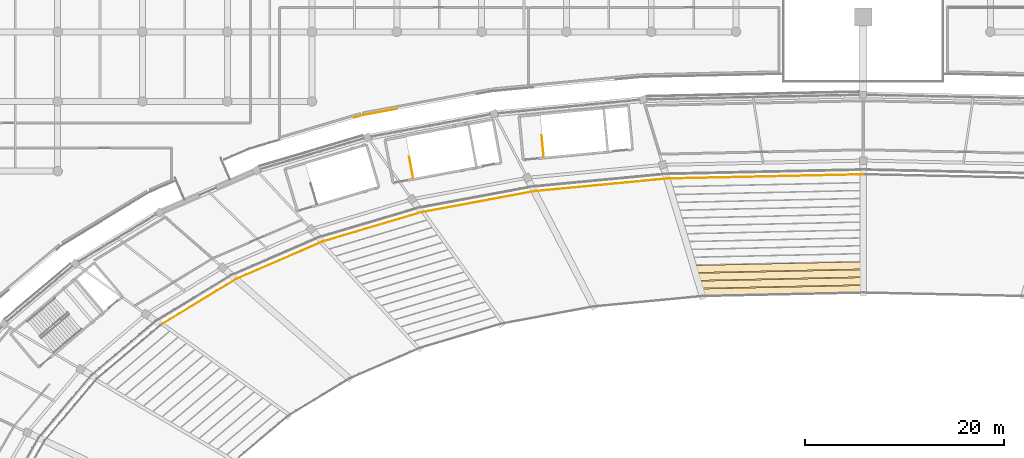
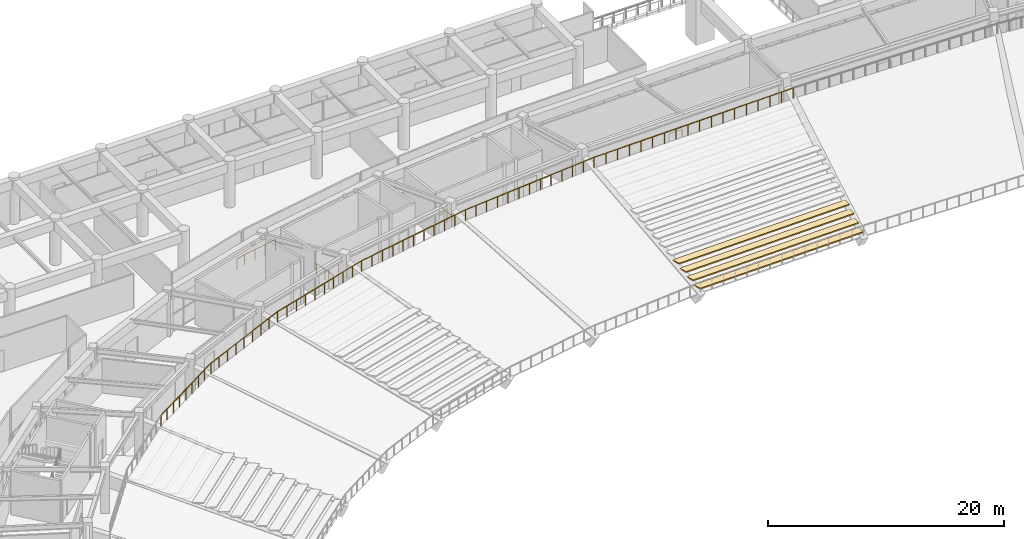
# One storey, part 133 of 137: 4 coverings, 4 railings.
"""IFC4 building model written with IfcOpenShell, lengths in metres."""

from ifc_helpers import new_model, si_unit, direction, frame, origin, origin_2d, place, context, subcontext, project, spatial, polyline, circle, outline, extrude, material, layer, layer_set, type_object, element, save


model = new_model("IFC4")

# Units and contexts
model_context = context("Model", 3, precision=1e-05, world=origin(), true_north=direction((0.0, 1.0)))
body_context = subcontext(model_context, "Body", "Model", "MODEL_VIEW")
ifc_project = project(units=[si_unit("LENGTHUNIT", "METRE"), si_unit("AREAUNIT", "SQUARE_METRE"), si_unit("VOLUMEUNIT", "CUBIC_METRE"), si_unit("PLANEANGLEUNIT", "RADIAN"), si_unit("MASSUNIT", "GRAM", prefix="KILO")], contexts=[model_context])

# Site, building, storey
site_placement = place(None, origin())
site = spatial("IfcSite", under=ifc_project, at=site_placement, CompositionType="ELEMENT")
building_placement = place(site_placement, origin())
building = spatial("IfcBuilding", under=site, at=building_placement, Name="Mphavela Belvedere Stadium", CompositionType="ELEMENT")
storey_placement = place(building_placement, frame((0.0, 0.0, 19.199951171875)))
storey = spatial("IfcBuildingStorey", under=building, at=storey_placement, Name="L04", CompositionType="ELEMENT", Elevation=19.199951171875)

# Coverings
ifc_material_1 = material(Name="Precast seating row terrazzo finish", Category="concrete")
ifc_layer = layer(ifc_material_1, 0.1201171875)
ifc_layer_set = layer_set([ifc_layer], Name="Precast seating row terrazzo finish")
covering_type = type_object("IfcCoveringType", Name="COV-SEAT-ROW-U", PredefinedType="FLOORING", material=ifc_layer_set)
covering_1_placement = place(storey_placement, frame((0.0, 0.0, -3.4033203125)))
element("IfcCovering", 1, at=covering_1_placement, inside=storey, type_object=covering_type, Name="Upper stand seating row bench B13-R01", PredefinedType="FLOORING", context=body_context, shape_type="SweptSolid", body=[
    extrude(outline(polyline([(115.0, 140.79296875), (98.85205078125, 140.4453125), (98.63330078125, 141.16943359375), (115.0, 141.52197265625), (115.0, 140.79296875)])), origin(), (0.0, 0.0, 1.0), 0.1201171875),
])
covering_2_placement = place(storey_placement, frame((0.0, 0.0, -2.936767578125)))
element("IfcCovering", 2, at=covering_2_placement, inside=storey, type_object=covering_type, Name="Upper stand seating row bench B13-R02", PredefinedType="FLOORING", context=body_context, shape_type="SweptSolid", body=[
    extrude(outline(polyline([(115.0, 141.585205078125), (98.6142578125, 141.232421875), (98.3955078125, 141.956787109375), (115.0, 142.314208984375), (115.0, 141.585205078125)])), origin(), (0.0, 0.0, 1.0), 0.1201171875),
])
covering_3_placement = place(storey_placement, frame((0.0, 0.0, -2.469970703125)))
element("IfcCovering", 3, at=covering_3_placement, inside=storey, type_object=covering_type, Name="Upper stand seating row bench B13-R03", PredefinedType="FLOORING", context=body_context, shape_type="SweptSolid", body=[
    extrude(outline(polyline([(115.0, 142.377685546875), (98.37646484375, 142.019775390625), (98.15771484375, 142.743896484375), (115.0, 143.1064453125), (115.0, 142.377685546875)])), origin(), (0.0, 0.0, 1.0), 0.1201171875),
])
covering_4_placement = place(storey_placement, frame((0.0, 0.0, -2.003173828125)))
element("IfcCovering", 4, at=covering_4_placement, inside=storey, type_object=covering_type, Name="Upper stand seating row bench B13-R04", PredefinedType="FLOORING", context=body_context, shape_type="SweptSolid", body=[
    extrude(outline(polyline([(115.0, 143.169921875), (98.138671875, 142.806884765625), (97.919921875, 143.531005859375), (115.0, 143.898681640625), (115.0, 143.169921875)])), origin(), (0.0, 0.0, 1.0), 0.119873046875),
])

# Railings
ifc_material_2 = material(Name="Bronze and laminated glass stadium balustrade", Category="glass")
railing_type_1 = type_object("IfcRailingType", Name="RAL-BALUSTRADE-1120", PredefinedType="BALUSTRADE", material=ifc_material_2)
railing_1_placement = place(storey_placement, frame((115.0, 152.677490234375, 3.25)))
element("IfcRailing", 5, at=railing_1_placement, inside=storey, type_object=railing_type_1, Name="Bowl safety balustrade t2_rear S3", PredefinedType="BALUSTRADE", context=body_context, shape_type="SweptSolid", body=[
    extrude(circle(Radius=0.02392578125, at=origin_2d()), frame((0.0, 0.0, 1.09619140625), z_axis=(-0.999768212471, -0.021529545552, 0.0), x_axis=(0.021529545552, -0.999768212471, 0.0)), (0.0, 0.0, 1.0), 19.719970703125),
    extrude(circle(Radius=0.02392578125, at=origin_2d()), frame((-19.71533203125, -0.424560546875, 1.09619140625), z_axis=(-0.995485310034, -0.094915738982, 0.0), x_axis=(0.094915738982, -0.995485310034, 0.0)), (0.0, 0.0, 1.0), 13.39599609375),
    extrude(circle(Radius=0.02392578125, at=origin_2d()), frame((-33.05078125, -1.696044921875, 1.09619140625), z_axis=(-0.983092967472, -0.183107119762, 0.0), x_axis=(0.183107119762, -0.983092967472, 0.0)), (0.0, 0.0, 1.0), 11.54248046875),
    extrude(circle(Radius=0.02392578125, at=origin_2d()), frame((-44.398193359375, -3.8095703125, 1.09619140625), z_axis=(-0.958657919972, -0.284561052279, 0.0), x_axis=(0.284561052279, -0.958657919972, 0.0)), (0.0, 0.0, 1.0), 10.3564453125),
    extrude(circle(Radius=0.02392578125, at=origin_2d()), frame((-54.326416015625, -6.756591796875, 1.09619140625), z_axis=(-0.917507086271, -0.397719432065, 0.0), x_axis=(0.397719432065, -0.917507086271, 0.0)), (0.0, 0.0, 1.0), 9.482177734375),
    extrude(circle(Radius=0.02392578125, at=origin_2d()), frame((-63.0263671875, -10.52783203125, 1.09619140625), z_axis=(-0.85431656111, -0.519753031173, 0.0), x_axis=(0.519753031173, -0.85431656111, 0.0)), (0.0, 0.0, 1.0), 8.82763671875),
    extrude(circle(Radius=0.02099609375, at=origin_2d()), origin(), (0.0, 0.0, 1.0), 1.072021484375),
    extrude(circle(Radius=0.02099609375, at=origin_2d()), frame((-1.15966796875, -0.02490234375, 0.0)), (0.0, 0.0, 1.0), 1.072021484375),
    extrude(circle(Radius=0.02099609375, at=origin_2d()), frame((-2.3193359375, -0.050048828125, 0.0)), (0.0, 0.0, 1.0), 1.072021484375),
    extrude(circle(Radius=0.02099609375, at=origin_2d()), frame((-3.479248046875, -0.074951171875, 0.0)), (0.0, 0.0, 1.0), 1.072021484375),
    extrude(circle(Radius=0.02099609375, at=origin_2d()), frame((-4.638916015625, -0.099853515625, 0.0)), (0.0, 0.0, 1.0), 1.072021484375),
    extrude(circle(Radius=0.02099609375, at=origin_2d()), frame((-5.798583984375, -0.124755859375, 0.0)), (0.0, 0.0, 1.0), 1.072021484375),
    extrude(circle(Radius=0.02099609375, at=origin_2d()), frame((-6.958251953125, -0.14990234375, 0.0)), (0.0, 0.0, 1.0), 1.072021484375),
    extrude(circle(Radius=0.02099609375, at=origin_2d()), frame((-8.1181640625, -0.1748046875, 0.0)), (0.0, 0.0, 1.0), 1.072021484375),
    extrude(circle(Radius=0.02099609375, at=origin_2d()), frame((-9.27783203125, -0.19970703125, 0.0)), (0.0, 0.0, 1.0), 1.072021484375),
    extrude(circle(Radius=0.02099609375, at=origin_2d()), frame((-10.4375, -0.224853515625, 0.0)), (0.0, 0.0, 1.0), 1.072021484375),
    extrude(circle(Radius=0.02099609375, at=origin_2d()), frame((-11.59716796875, -0.249755859375, 0.0)), (0.0, 0.0, 1.0), 1.072021484375),
    extrude(circle(Radius=0.02099609375, at=origin_2d()), frame((-12.757080078125, -0.274658203125, 0.0)), (0.0, 0.0, 1.0), 1.072021484375),
    extrude(circle(Radius=0.02099609375, at=origin_2d()), frame((-13.916748046875, -0.2998046875, 0.0)), (0.0, 0.0, 1.0), 1.072021484375),
    extrude(circle(Radius=0.02099609375, at=origin_2d()), frame((-15.076416015625, -0.32470703125, 0.0)), (0.0, 0.0, 1.0), 1.072021484375),
    extrude(circle(Radius=0.02099609375, at=origin_2d()), frame((-16.236083984375, -0.349609375, 0.0)), (0.0, 0.0, 1.0), 1.072021484375),
    extrude(circle(Radius=0.02099609375, at=origin_2d()), frame((-17.39599609375, -0.37451171875, 0.0)), (0.0, 0.0, 1.0), 1.072021484375),
    extrude(circle(Radius=0.02099609375, at=origin_2d()), frame((-18.5556640625, -0.399658203125, 0.0)), (0.0, 0.0, 1.0), 1.072021484375),
    extrude(circle(Radius=0.02099609375, at=origin_2d()), frame((-19.71533203125, -0.424560546875, 0.0)), (0.0, 0.0, 1.0), 1.072021484375),
    extrude(circle(Radius=0.02099609375, at=origin_2d()), frame((-20.82666015625, -0.530517578125, 0.0)), (0.0, 0.0, 1.0), 1.072021484375),
    extrude(circle(Radius=0.02099609375, at=origin_2d()), frame((-21.93798828125, -0.636474609375, 0.0)), (0.0, 0.0, 1.0), 1.072021484375),
    extrude(circle(Radius=0.02099609375, at=origin_2d()), frame((-23.04931640625, -0.742431640625, 0.0)), (0.0, 0.0, 1.0), 1.072021484375),
    extrude(circle(Radius=0.02099609375, at=origin_2d()), frame((-24.160400390625, -0.848388671875, 0.0)), (0.0, 0.0, 1.0), 1.072021484375),
    extrude(circle(Radius=0.02099609375, at=origin_2d()), frame((-25.271728515625, -0.954345703125, 0.0)), (0.0, 0.0, 1.0), 1.072021484375),
    extrude(circle(Radius=0.02099609375, at=origin_2d()), frame((-26.383056640625, -1.060302734375, 0.0)), (0.0, 0.0, 1.0), 1.072021484375),
    extrude(circle(Radius=0.02099609375, at=origin_2d()), frame((-27.494384765625, -1.166259765625, 0.0)), (0.0, 0.0, 1.0), 1.072021484375),
    extrude(circle(Radius=0.02099609375, at=origin_2d()), frame((-28.605712890625, -1.272216796875, 0.0)), (0.0, 0.0, 1.0), 1.072021484375),
    extrude(circle(Radius=0.02099609375, at=origin_2d()), frame((-29.716796875, -1.378173828125, 0.0)), (0.0, 0.0, 1.0), 1.072021484375),
    extrude(circle(Radius=0.02099609375, at=origin_2d()), frame((-30.828125, -1.484130859375, 0.0)), (0.0, 0.0, 1.0), 1.072021484375),
    extrude(circle(Radius=0.02099609375, at=origin_2d()), frame((-31.939453125, -1.590087890625, 0.0)), (0.0, 0.0, 1.0), 1.072021484375),
    extrude(circle(Radius=0.02099609375, at=origin_2d()), frame((-33.05078125, -1.696044921875, 0.0)), (0.0, 0.0, 1.0), 1.072021484375),
    extrude(circle(Radius=0.02099609375, at=origin_2d()), frame((-34.185546875, -1.907470703125, 0.0)), (0.0, 0.0, 1.0), 1.072021484375),
    extrude(circle(Radius=0.02099609375, at=origin_2d()), frame((-35.3203125, -2.11865234375, 0.0)), (0.0, 0.0, 1.0), 1.072021484375),
    extrude(circle(Radius=0.02099609375, at=origin_2d()), frame((-36.455078125, -2.330078125, 0.0)), (0.0, 0.0, 1.0), 1.072021484375),
    extrude(circle(Radius=0.02099609375, at=origin_2d()), frame((-37.58984375, -2.54150390625, 0.0)), (0.0, 0.0, 1.0), 1.072021484375),
    extrude(circle(Radius=0.02099609375, at=origin_2d()), frame((-38.724609375, -2.7529296875, 0.0)), (0.0, 0.0, 1.0), 1.072021484375),
    extrude(circle(Radius=0.02099609375, at=origin_2d()), frame((-39.859130859375, -2.964111328125, 0.0)), (0.0, 0.0, 1.0), 1.072021484375),
    extrude(circle(Radius=0.02099609375, at=origin_2d()), frame((-40.993896484375, -3.175537109375, 0.0)), (0.0, 0.0, 1.0), 1.072021484375),
    extrude(circle(Radius=0.02099609375, at=origin_2d()), frame((-42.128662109375, -3.386962890625, 0.0)), (0.0, 0.0, 1.0), 1.072021484375),
    extrude(circle(Radius=0.02099609375, at=origin_2d()), frame((-43.263427734375, -3.59814453125, 0.0)), (0.0, 0.0, 1.0), 1.072021484375),
    extrude(circle(Radius=0.02099609375, at=origin_2d()), frame((-44.398193359375, -3.8095703125, 0.0)), (0.0, 0.0, 1.0), 1.072021484375),
    extrude(circle(Radius=0.02099609375, at=origin_2d()), frame((-45.501220703125, -4.136962890625, 0.0)), (0.0, 0.0, 1.0), 1.072021484375),
    extrude(circle(Radius=0.02099609375, at=origin_2d()), frame((-46.6044921875, -4.46435546875, 0.0)), (0.0, 0.0, 1.0), 1.072021484375),
    extrude(circle(Radius=0.02099609375, at=origin_2d()), frame((-47.70751953125, -4.7919921875, 0.0)), (0.0, 0.0, 1.0), 1.072021484375),
    extrude(circle(Radius=0.02099609375, at=origin_2d()), frame((-48.810791015625, -5.119384765625, 0.0)), (0.0, 0.0, 1.0), 1.072021484375),
    extrude(circle(Radius=0.02099609375, at=origin_2d()), frame((-49.913818359375, -5.44677734375, 0.0)), (0.0, 0.0, 1.0), 1.072021484375),
    extrude(circle(Radius=0.02099609375, at=origin_2d()), frame((-51.01708984375, -5.774169921875, 0.0)), (0.0, 0.0, 1.0), 1.072021484375),
    extrude(circle(Radius=0.02099609375, at=origin_2d()), frame((-52.1201171875, -6.101806640625, 0.0)), (0.0, 0.0, 1.0), 1.072021484375),
    extrude(circle(Radius=0.02099609375, at=origin_2d()), frame((-53.223388671875, -6.42919921875, 0.0)), (0.0, 0.0, 1.0), 1.072021484375),
    extrude(circle(Radius=0.02099609375, at=origin_2d()), frame((-54.326416015625, -6.756591796875, 0.0)), (0.0, 0.0, 1.0), 1.072021484375),
    extrude(circle(Radius=0.02099609375, at=origin_2d()), frame((-55.413818359375, -7.22802734375, 0.0)), (0.0, 0.0, 1.0), 1.072021484375),
    extrude(circle(Radius=0.02099609375, at=origin_2d()), frame((-56.50146484375, -7.699462890625, 0.0)), (0.0, 0.0, 1.0), 1.072021484375),
    extrude(circle(Radius=0.02099609375, at=origin_2d()), frame((-57.5888671875, -8.1708984375, 0.0)), (0.0, 0.0, 1.0), 1.072021484375),
    extrude(circle(Radius=0.02099609375, at=origin_2d()), frame((-58.67626953125, -8.64208984375, 0.0)), (0.0, 0.0, 1.0), 1.072021484375),
    extrude(circle(Radius=0.02099609375, at=origin_2d()), frame((-59.763916015625, -9.113525390625, 0.0)), (0.0, 0.0, 1.0), 1.072021484375),
    extrude(circle(Radius=0.02099609375, at=origin_2d()), frame((-60.851318359375, -9.5849609375, 0.0)), (0.0, 0.0, 1.0), 1.072021484375),
    extrude(circle(Radius=0.02099609375, at=origin_2d()), frame((-61.93896484375, -10.056396484375, 0.0)), (0.0, 0.0, 1.0), 1.072021484375),
    extrude(circle(Radius=0.02099609375, at=origin_2d()), frame((-63.0263671875, -10.52783203125, 0.0)), (0.0, 0.0, 1.0), 1.072021484375),
    extrude(circle(Radius=0.02099609375, at=origin_2d()), frame((-63.968994140625, -11.101318359375, 0.0)), (0.0, 0.0, 1.0), 1.072021484375),
    extrude(circle(Radius=0.02099609375, at=origin_2d()), frame((-64.91162109375, -11.6748046875, 0.0)), (0.0, 0.0, 1.0), 1.072021484375),
    extrude(circle(Radius=0.02099609375, at=origin_2d()), frame((-65.8544921875, -12.248291015625, 0.0)), (0.0, 0.0, 1.0), 1.072021484375),
    extrude(circle(Radius=0.02099609375, at=origin_2d()), frame((-66.797119140625, -12.82177734375, 0.0)), (0.0, 0.0, 1.0), 1.072021484375),
    extrude(circle(Radius=0.02099609375, at=origin_2d()), frame((-67.73974609375, -13.3955078125, 0.0)), (0.0, 0.0, 1.0), 1.072021484375),
    extrude(circle(Radius=0.02099609375, at=origin_2d()), frame((-68.6826171875, -13.968994140625, 0.0)), (0.0, 0.0, 1.0), 1.072021484375),
    extrude(circle(Radius=0.02099609375, at=origin_2d()), frame((-69.625244140625, -14.54248046875, 0.0)), (0.0, 0.0, 1.0), 1.072021484375),
    extrude(circle(Radius=0.02099609375, at=origin_2d()), frame((-70.56787109375, -15.115966796875, 0.0)), (0.0, 0.0, 1.0), 1.072021484375),
])
railing_2_placement = place(storey_placement, frame((68.1826171875, 159.271728515625, 0.0)))
element("IfcRailing", 6, at=railing_2_placement, inside=storey, type_object=railing_type_1, Name="Peristyle wing gallery edge balustrade L04-32", PredefinedType="BALUSTRADE", context=body_context, shape_type="SweptSolid", body=[
    extrude(circle(Radius=0.02392578125, at=origin_2d()), frame((0.0, 0.0, 1.09619140625), z_axis=(-0.983089595219, -0.183125224291, 0.0), x_axis=(0.183125224291, -0.983089595219, 0.0)), (0.0, 0.0, 1.0), 3.459716796875),
    extrude(circle(Radius=0.02392578125, at=origin_2d()), frame((-3.401123046875, -0.633544921875, 1.09619140625), z_axis=(-0.96248917912, -0.271320069434, 0.0), x_axis=(0.271320069434, -0.96248917912, 0.0)), (0.0, 0.0, 1.0), 0.91064453125),
    extrude(circle(Radius=0.02099609375, at=origin_2d()), origin(), (0.0, 0.0, 1.0), 1.072021484375),
    extrude(circle(Radius=0.02099609375, at=origin_2d()), frame((-1.1337890625, -0.211181640625, 0.0)), (0.0, 0.0, 1.0), 1.072021484375),
    extrude(circle(Radius=0.02099609375, at=origin_2d()), frame((-2.267333984375, -0.42236328125, 0.0)), (0.0, 0.0, 1.0), 1.072021484375),
    extrude(circle(Radius=0.02099609375, at=origin_2d()), frame((-3.401123046875, -0.633544921875, 0.0)), (0.0, 0.0, 1.0), 1.072021484375),
    extrude(circle(Radius=0.02099609375, at=origin_2d()), frame((-4.277587890625, -0.880615234375, 0.0)), (0.0, 0.0, 1.0), 1.072021484375),
])
ifc_material_3 = material(Name="Painted galvanised steel stair guardrail", Category="steel")
railing_type_2 = type_object("IfcRailingType", Name="RAL-GUARD-1120", PredefinedType="GUARDRAIL", material=ifc_material_3)
railing_3_placement = place(storey_placement, frame((69.78759765625, 152.30029296875, 0.0)))
element("IfcRailing", 7, at=railing_3_placement, inside=storey, type_object=railing_type_2, Name="L04 ST-C02 top well guard 1", PredefinedType="GUARDRAIL", context=body_context, shape_type="SweptSolid", body=[
    extrude(circle(Radius=0.02392578125, at=origin_2d()), frame((0.0, 0.0, 1.09619140625), z_axis=(-0.183160800109, 0.98308296766, 0.0), x_axis=(-0.98308296766, -0.183160800109, 0.0)), (0.0, 0.0, 1.0), 2.169921875),
    extrude(circle(Radius=0.02099609375, at=origin_2d()), origin(), (0.0, 0.0, 1.0), 1.072021484375),
    extrude(circle(Radius=0.02099609375, at=origin_2d()), frame((-0.19873046875, 1.066650390625, 0.0)), (0.0, 0.0, 1.0), 1.072021484375),
    extrude(circle(Radius=0.02099609375, at=origin_2d()), frame((-0.3974609375, 2.13330078125, 0.0)), (0.0, 0.0, 1.0), 1.072021484375),
])
railing_4_placement = place(storey_placement, frame((82.903076171875, 154.4375, 0.0)))
element("IfcRailing", 8, at=railing_4_placement, inside=storey, type_object=railing_type_2, Name="L04 ST-C04 top well guard 1", PredefinedType="GUARDRAIL", context=body_context, shape_type="SweptSolid", body=[
    extrude(circle(Radius=0.02392578125, at=origin_2d()), frame((0.0, 0.0, 1.09619140625), z_axis=(-0.094957755398, 0.995481303034, 0.0), x_axis=(-0.995481303034, -0.094957755398, 0.0)), (0.0, 0.0, 1.0), 2.169921875),
    extrude(circle(Radius=0.02099609375, at=origin_2d()), origin(), (0.0, 0.0, 1.0), 1.072021484375),
    extrude(circle(Radius=0.02099609375, at=origin_2d()), frame((-0.10302734375, 1.080078125, 0.0)), (0.0, 0.0, 1.0), 1.072021484375),
    extrude(circle(Radius=0.02099609375, at=origin_2d()), frame((-0.2060546875, 2.16015625, 0.0)), (0.0, 0.0, 1.0), 1.072021484375),
])

save(model, "model.ifc")
